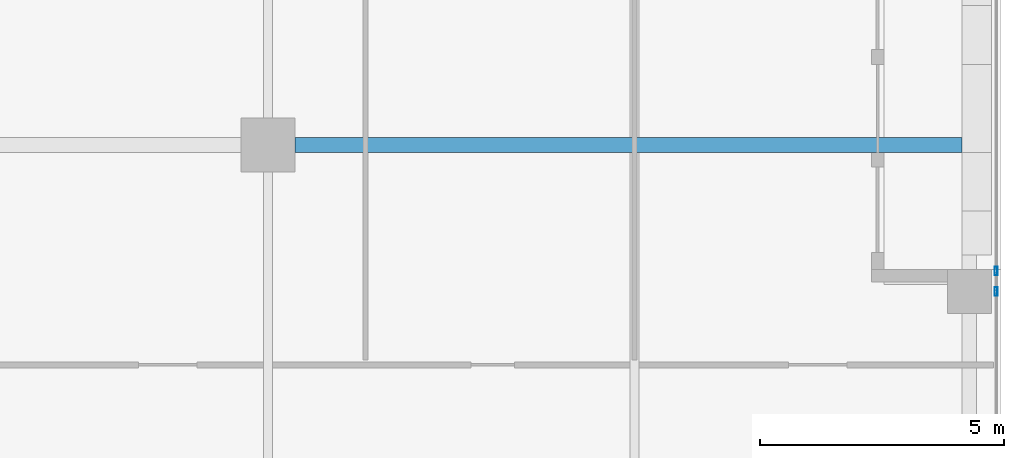
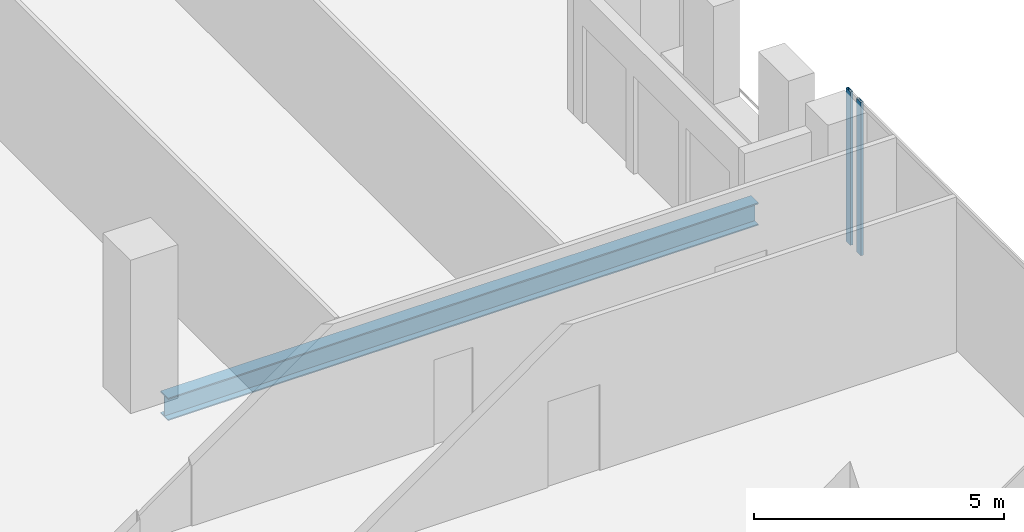
# One storey, part 12 of 35: 2 members, 1 beam, 1 element without a shape of its own.
"""IFC4 building model written with IfcOpenShell, lengths in metres."""

import ifcopenshell
import ifcopenshell.guid

model = None  # the IFC model being written
_history = None  # IfcOwnerHistory: only IFC2X3 demands one
_inside = {}  # id of a spatial element -> (the spatial element, [elements in it])
_under = {}  # id of a project, library or spatial element -> (it, [spatial elements below it])
_declared = {}  # id of a project -> (the project, [libraries it declares])
_typed = {}  # id of a type object -> (the type object, [elements of that type])
_made_of = {}  # id of a material, layer set ... -> (it, [elements and type objects made of it])


def new_model(schema):
    """Start an empty IFC model of exactly this schema.

    Asked for "IFC4X3", IfcOpenShell would pick the latest addendum, in which some entities
    have other attributes; the version numbers below select the first issue.
    IFC2X3 requires an IfcOwnerHistory on every rooted entity: one is made here for all.
    """
    global model, _history
    if schema == "IFC4X3":
        model = ifcopenshell.file(schema_version=(4, 3, 0, 0))
    else:
        model = ifcopenshell.file(schema=schema)
    _inside.clear()
    _under.clear()
    _declared.clear()
    _typed.clear()
    _made_of.clear()
    _history = None
    if model.schema == "IFC2X3":
        org = make("IfcOrganization", Name="unknown")
        user = make(
            "IfcPersonAndOrganization",
            ThePerson=make("IfcPerson", FamilyName="unknown"),
            TheOrganization=org,
        )
        app = make(
            "IfcApplication",
            ApplicationDeveloper=org,
            Version="unknown",
            ApplicationFullName="unknown",
            ApplicationIdentifier="unknown",
        )
        _history = make(
            "IfcOwnerHistory",
            OwningUser=user,
            OwningApplication=app,
            ChangeAction="ADDED",
            CreationDate=0,
        )
    return model


def make(cls, **values):
    """One entity of the class cls with the attributes given. An attribute that is None is left unset."""
    return model.create_entity(
        cls, **{name: value for name, value in values.items() if value is not None}
    )


def rooted(cls, **values):
    """An entity with a GlobalId (a new one), such as an element, a storey or a relation."""
    return make(cls, GlobalId=ifcopenshell.guid.new(), OwnerHistory=_history, **values)


def si_unit(unit_type, name, prefix=None):
    """IfcSIUnit, for example si_unit("LENGTHUNIT", "METRE", prefix="MILLI")."""
    return make("IfcSIUnit", UnitType=unit_type, Prefix=prefix, Name=name)


def assignment(units):
    """IfcUnitAssignment: the units of a project."""
    return None if units is None else make("IfcUnitAssignment", Units=units)


def point(xyz):
    """IfcCartesianPoint."""
    return None if xyz is None else make("IfcCartesianPoint", Coordinates=xyz)


def direction(xyz):
    """IfcDirection."""
    return None if xyz is None else make("IfcDirection", DirectionRatios=xyz)


def frame(location, z_axis=None, x_axis=None):
    """IfcAxis2Placement3D, a coordinate frame: its origin and axes. An axis left out is left unset."""
    return make(
        "IfcAxis2Placement3D",
        Location=point(location),
        Axis=direction(z_axis),
        RefDirection=direction(x_axis),
    )


def frame_2d(location, x_axis=None):
    """IfcAxis2Placement2D, a coordinate frame in the plane: its origin and x axis."""
    return make(
        "IfcAxis2Placement2D", Location=point(location), RefDirection=direction(x_axis)
    )


def origin():
    """The frame at (0, 0, 0) with its axes left unset."""
    return frame((0.0, 0.0, 0.0))


def origin_2d():
    """The frame at (0, 0) in the plane with its x axis left unset."""
    return frame_2d((0.0, 0.0))


def place(relative_to, where):
    """IfcLocalPlacement: puts the frame where relative to a parent placement (None: the world)."""
    return make(
        "IfcLocalPlacement", PlacementRelTo=relative_to, RelativePlacement=where
    )


def context(
    kind, dimensions, precision=None, world=None, true_north=None, identifier=None
):
    """IfcGeometricRepresentationContext, for example the 3D "Model" context."""
    return make(
        "IfcGeometricRepresentationContext",
        ContextIdentifier=identifier,
        ContextType=kind,
        CoordinateSpaceDimension=dimensions,
        Precision=precision,
        WorldCoordinateSystem=world,
        TrueNorth=true_north,
    )


def subcontext(parent, identifier, kind, view, scale=None):
    """IfcGeometricRepresentationSubContext, for example "Body" below "Model"."""
    return make(
        "IfcGeometricRepresentationSubContext",
        ContextIdentifier=identifier,
        ContextType=kind,
        ParentContext=parent,
        TargetScale=scale,
        TargetView=view,
    )


def project(units=None, contexts=None):
    """IfcProject with its units and contexts."""
    return rooted(
        "IfcProject",
        Name="project",
        RepresentationContexts=contexts,
        UnitsInContext=assignment(units),
    )


def spatial(cls, under=None, at=None, **own):
    """A site, building, storey or space (cls), placed at a placement, below another one or the project."""
    s = rooted(cls, ObjectPlacement=at, **own)
    if under is not None:
        _under.setdefault(under.id(), (under, []))[1].append(s)
    return s


def profile(cls, at=None, kind="AREA", **sizes):
    """A parametric profile (cls). Its sizes go by their IFC names, for example OverallWidth=200.0."""
    return make(cls, ProfileType=kind, Position=at, **sizes)


def hollow_rectangle(**sizes):
    """IfcRectangleHollowProfileDef."""
    return profile("IfcRectangleHollowProfileDef", **sizes)


def i_section(**sizes):
    """IfcIShapeProfileDef."""
    return profile("IfcIShapeProfileDef", **sizes)


def extrude(swept, where, along, depth):
    """IfcExtrudedAreaSolid: the profile swept, set in the frame where, extruded along a direction by depth."""
    return make(
        "IfcExtrudedAreaSolid",
        SweptArea=swept,
        Position=where,
        ExtrudedDirection=direction(along),
        Depth=depth,
    )


def shape(context_of_items, identifier, shape_type, items):
    """IfcShapeRepresentation: the items that make up one representation, for example the "Body"."""
    return make(
        "IfcShapeRepresentation",
        ContextOfItems=context_of_items,
        RepresentationIdentifier=identifier,
        RepresentationType=shape_type,
        Items=items,
    )


def source(mapping_origin, context_of_items, identifier, shape_type, items):
    """IfcRepresentationMap: a shape defined once, which mapped items show again and again."""
    return make(
        "IfcRepresentationMap",
        MappingOrigin=mapping_origin,
        MappedRepresentation=shape(context_of_items, identifier, shape_type, items),
    )


def transform(
    local_origin,
    x_axis=None,
    y_axis=None,
    z_axis=None,
    scale=None,
    scale2=None,
    scale3=None,
    uniform=True,
):
    """IfcCartesianTransformationOperator3D, or its non-uniform kind. x_axis, y_axis, z_axis: its Axis1, 2, 3."""
    if uniform:
        return make(
            "IfcCartesianTransformationOperator3D",
            Axis1=direction(x_axis),
            Axis2=direction(y_axis),
            LocalOrigin=point(local_origin),
            Scale=scale,
            Axis3=direction(z_axis),
        )
    return make(
        "IfcCartesianTransformationOperator3DnonUniform",
        Axis1=direction(x_axis),
        Axis2=direction(y_axis),
        LocalOrigin=point(local_origin),
        Scale=scale,
        Axis3=direction(z_axis),
        Scale2=scale2,
        Scale3=scale3,
    )


def mapped(mapping_source, mapping_target):
    """IfcMappedItem: shows the shape of a source again, moved by a transform."""
    return make(
        "IfcMappedItem", MappingSource=mapping_source, MappingTarget=mapping_target
    )


def material(Name=None, Category=None):
    """IfcMaterial."""
    return make("IfcMaterial", Name=Name, Category=Category)


def material_profile(
    of_material, cross_section, Name=None, Category=None, Priority=None
):
    """IfcMaterialProfile: a cross section and its material."""
    return make(
        "IfcMaterialProfile",
        Name=Name,
        Material=of_material,
        Profile=cross_section,
        Priority=Priority,
        Category=Category,
    )


def profile_set(profiles, Name=None, composite=None):
    """IfcMaterialProfileSet."""
    return make(
        "IfcMaterialProfileSet",
        Name=Name,
        MaterialProfiles=profiles,
        CompositeProfile=composite,
    )


def made_of(thing, what):
    """Note that an element or type object is made of a material, layer set ...; save() writes the relation."""
    if what is not None:
        _made_of.setdefault(what.id(), (what, []))[1].append(thing)
    return thing


def type_object(cls, material=None, **own):
    """A type object (cls), such as IfcWallType, which elements share."""
    return made_of(rooted(cls, **own), material)


def element(
    cls,
    number,
    at=None,
    inside=None,
    cuts=None,
    type_object=None,
    material=None,
    context=None,
    identifier="Body",
    shape_type=None,
    held_by="IfcProductDefinitionShape",
    body=None,
    shapes=None,
    **own,
):
    """One element of the class cls, such as IfcWall. Its Tag is "e" and its number.

    at: its placement. inside: the storey or other place that contains it. cuts: it is an
    opening in that element (IfcRelVoidsElement). A single representation is given by context,
    identifier, shape_type and body (its items); several are given by shapes. held_by: the class
    of the entity that holds the representations. save() writes the other relations.
    """
    e = rooted(cls, Tag="e%d" % number, ObjectPlacement=at, **own)
    if body is not None:
        shapes = [shape(context, identifier, shape_type, body)]
    if shapes is not None:
        e.Representation = make(held_by, Representations=shapes)
    if inside is not None:
        _inside.setdefault(inside.id(), (inside, []))[1].append(e)
    if cuts is not None:
        rooted(
            "IfcRelVoidsElement", RelatingBuildingElement=cuts, RelatedOpeningElement=e
        )
    if type_object is not None:
        _typed.setdefault(type_object.id(), (type_object, []))[1].append(e)
    return made_of(e, material)


def aggregate(whole, parts):
    """IfcRelAggregates: a whole, such as a stair, and the parts it consists of."""
    return rooted("IfcRelAggregates", RelatingObject=whole, RelatedObjects=parts)


def save(model, path):
    """Write the relations noted so far, then the file.

    IfcRelAggregates (storeys below a building ...), IfcRelContainedInSpatialStructure (elements
    in a storey), IfcRelDefinesByType, IfcRelAssociatesMaterial and IfcRelDeclares: one each for
    every whole, place, type object, material and project.
    """
    for whole, parts in _under.values():
        aggregate(whole, parts)
    for where, things in _inside.values():
        rooted(
            "IfcRelContainedInSpatialStructure",
            RelatedElements=things,
            RelatingStructure=where,
        )
    for kind, things in _typed.values():
        rooted("IfcRelDefinesByType", RelatedObjects=things, RelatingType=kind)
    for what, things in _made_of.values():
        rooted("IfcRelAssociatesMaterial", RelatedObjects=things, RelatingMaterial=what)
    for by, libraries in _declared.values():
        rooted("IfcRelDeclares", RelatingContext=by, RelatedDefinitions=libraries)
    model.write(path)


model = new_model("IFC4")

# Units and contexts
model_context = context("Model", 3, precision=1e-05, world=origin(), true_north=direction((0.0, 1.0)))
body_context = subcontext(model_context, "Body", "Model", "MODEL_VIEW")
ifc_project = project(units=[si_unit("LENGTHUNIT", "METRE"), si_unit("AREAUNIT", "SQUARE_METRE"), si_unit("VOLUMEUNIT", "CUBIC_METRE"), si_unit("PLANEANGLEUNIT", "RADIAN"), si_unit("MASSUNIT", "GRAM", prefix="KILO")], contexts=[model_context])

# Site, building, storey
site_placement = place(None, origin())
site = spatial("IfcSite", under=ifc_project, at=site_placement, CompositionType="ELEMENT")
building_placement = place(site_placement, origin())
building = spatial("IfcBuilding", under=site, at=building_placement, Name="Khomas Fold Tower", CompositionType="ELEMENT")
storey_placement = place(building_placement, frame((0.0, 0.0, 262.199951171875)))
storey = spatial("IfcBuildingStorey", under=building, at=storey_placement, Name="L59", CompositionType="ELEMENT", Elevation=262.199951171875)

# Beam
ifc_material_1 = material(Name="Steel S355", Category="steel")
ifc_material_profile_1 = material_profile(ifc_material_1, i_section(OverallWidth=0.300048828125, OverallDepth=0.550048828125, WebThickness=0.014892578125, FlangeThickness=0.029052734375, at=origin_2d()), Name="HE 550 B")
ifc_profile_set_1 = profile_set([ifc_material_profile_1], Name="Steel S355")
beam_type = type_object("IfcBeamType", Name="HE 550 B beam GB4", PredefinedType="BEAM", material=ifc_profile_set_1)
shared_shape_1 = source(origin(), body_context, "Body", "SweptSolid", [
    extrude(i_section(OverallWidth=0.300048828125, OverallDepth=0.550048828125, WebThickness=0.014892578125, FlangeThickness=0.029052734375, at=origin_2d()), origin(), (0.0, 0.0, 1.0), 13.64990234375),
])
beam_placement = place(storey_placement, frame((35.050048828125, 22.5, -0.52490234375), z_axis=(1.0, 0.0, 0.0), x_axis=(0.0, 1.0, 0.0)))
element("IfcBeam", 1, at=beam_placement, inside=storey, type_object=beam_type, Name="GB4", PredefinedType="BEAM", context=body_context, shape_type="MappedRepresentation", body=[
    mapped(shared_shape_1, transform((0.0, 0.0, 0.0))),
])

# Curtain wall, members
ifc_material_2 = material(Name="Aluminium framed double glazing", Category="aluminium")
curtain_wall_type = type_object("IfcCurtainWallType", Name="SK-Unitised clear-glass wall, office floors CW2", PredefinedType="NOTDEFINED", material=ifc_material_2)
curtain_wall_placement = place(storey_placement, origin())
curtain_wall = element("IfcCurtainWall", 2, at=curtain_wall_placement, inside=storey, type_object=curtain_wall_type, Name="CW2 run L59 03-0", PredefinedType="NOTDEFINED")
ifc_material_3 = material(Name="Aluminium", Category="aluminium")
ifc_material_profile_2 = material_profile(ifc_material_3, hollow_rectangle(XDim=0.06005859375, YDim=0.179931640625, WallThickness=0.00390625, at=origin_2d()), Name="SK-Unitised clear-glass wall, office floors mullion CW2-M")
ifc_profile_set_2 = profile_set([ifc_material_profile_2], Name="Aluminium")
member_type = type_object("IfcMemberType", Name="SK-Unitised clear-glass wall, office floors mullion CW2-M", PredefinedType="MULLION", material=ifc_profile_set_2)
shared_shape_2 = source(origin(), body_context, "Body", "SweptSolid", [
    extrude(hollow_rectangle(XDim=0.06005859375, YDim=0.179931640625, WallThickness=0.00390625, at=origin_2d()), origin(), (0.0, 0.0, 1.0), 3.75),
])
member_1_placement = place(storey_placement, frame((49.39990234375, 19.5, 0.0), z_axis=(0.0, 0.0, 1.0), x_axis=(-1.0, 0.0, 0.0)))
member_1 = element("IfcMember", 3, at=member_1_placement, type_object=member_type, Name="CW2 mullion 3", PredefinedType="MULLION", context=body_context, shape_type="MappedRepresentation", body=[
    mapped(shared_shape_2, transform((0.0, 0.0, 0.0))),
])
member_2_placement = place(storey_placement, frame((49.39990234375, 19.919921875, 0.0), z_axis=(0.0, 0.0, 1.0), x_axis=(-1.0, 0.0, 0.0)))
member_2 = element("IfcMember", 4, at=member_2_placement, type_object=member_type, Name="CW2 mullion 4", PredefinedType="MULLION", context=body_context, shape_type="MappedRepresentation", body=[
    mapped(shared_shape_2, transform((0.0, 0.0, 0.0))),
])
aggregate(curtain_wall, [member_1, member_2])

save(model, "model.ifc")
